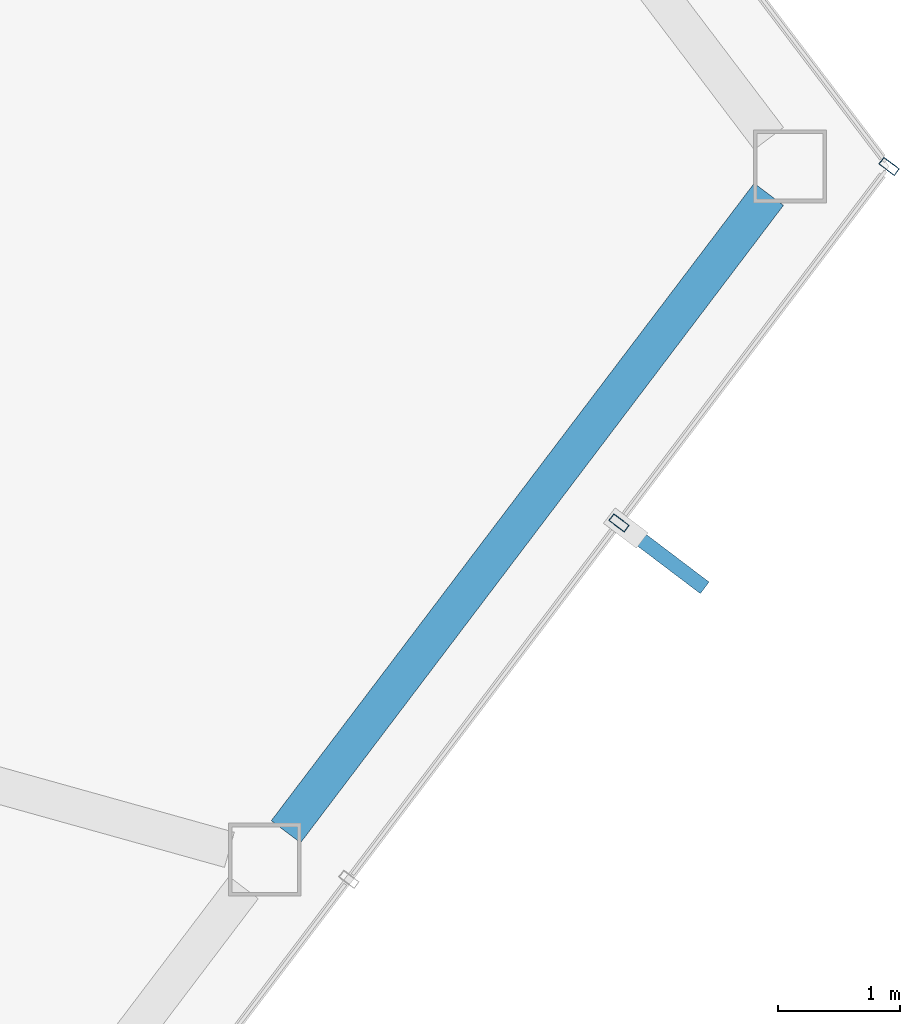
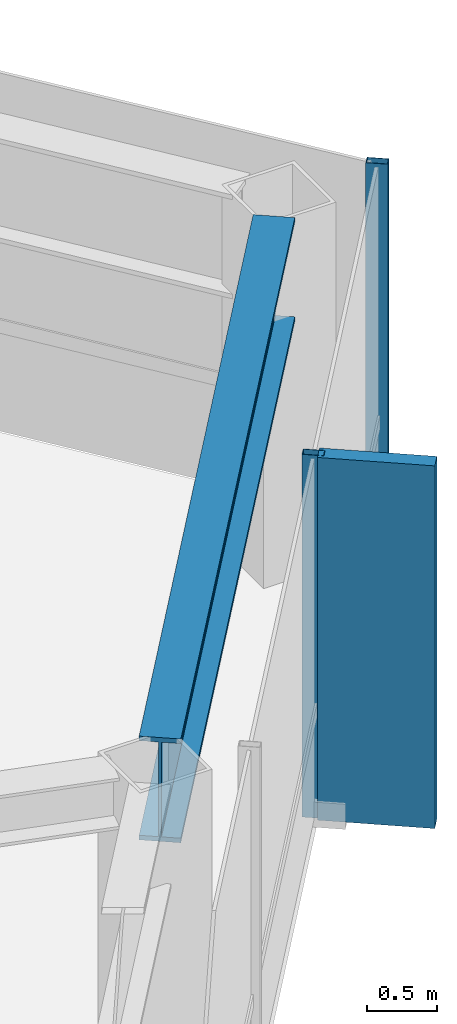
# One storey, part 18 of 25: 3 members, 1 beam, 1 element without a shape of its own.
"""IFC4 building model written with IfcOpenShell, lengths in metres."""

from ifc_helpers import new_model, si_unit, direction, frame, origin, origin_2d, place, context, subcontext, project, spatial, rectangle, hollow_rectangle, i_section, extrude, material, layer, layer_set, material_profile, profile_set, type_object, element, aggregate, save


model = new_model("IFC4")

# Units and contexts
model_context = context("Model", 3, precision=1e-05, world=origin(), true_north=direction((0.0, 1.0)))
body_context = subcontext(model_context, "Body", "Model", "MODEL_VIEW")
ifc_project = project(units=[si_unit("LENGTHUNIT", "METRE"), si_unit("AREAUNIT", "SQUARE_METRE"), si_unit("VOLUMEUNIT", "CUBIC_METRE"), si_unit("PLANEANGLEUNIT", "RADIAN"), si_unit("MASSUNIT", "GRAM", prefix="KILO")], contexts=[model_context])

# Site, building, storey
site_placement = place(None, origin())
site = spatial("IfcSite", under=ifc_project, at=site_placement, CompositionType="ELEMENT")
building_placement = place(site_placement, origin())
building = spatial("IfcBuilding", under=site, at=building_placement, Name="Zarrinselat Tower", CompositionType="ELEMENT")
storey_placement = place(building_placement, frame((0.0, 0.0, 242.760009765625)))
storey = spatial("IfcBuildingStorey", under=building, at=storey_placement, Name="L61", CompositionType="ELEMENT", Elevation=242.760009765625)

# Beam
ifc_material_1 = material(Name="Steel S460M", Category="steel")
ifc_material_profile_1 = material_profile(ifc_material_1, i_section(OverallWidth=0.302001953125, OverallDepth=0.909912109375, WebThickness=0.02099609375, FlangeThickness=0.0400390625, at=origin_2d()), Name="HEM 900")
ifc_profile_set_1 = profile_set([ifc_material_profile_1], Name="Steel S460M")
beam_type = type_object("IfcBeamType", Name="BM-HEM900", PredefinedType="BEAM", material=ifc_profile_set_1)
beam_placement = place(storey_placement, frame((56.673828125, 36.555908203125, 2.72509765625), z_axis=(0.603869116495, 0.797083490071, 0.0), x_axis=(-0.797083490071, 0.603869116495, 0.0)))
element("IfcBeam", 1, at=beam_placement, inside=storey, type_object=beam_type, Name="L61 Perimeter Spandrel Girder SP14", PredefinedType="BEAM", context=body_context, shape_type="SweptSolid", body=[
    extrude(i_section(OverallWidth=0.302001953125, OverallDepth=0.909912109375, WebThickness=0.02099609375, FlangeThickness=0.0400390625, at=origin_2d()), origin(), (0.0, 0.0, 1.0), 6.580810546875),
])

# Curtain wall, members
ifc_material_2 = material(Name="Extruded Aluminium Alloy EN AW-6063 T6", Category="aluminium")
ifc_layer = layer(ifc_material_2, 0.169921875)
ifc_layer_set = layer_set([ifc_layer], Name="Extruded Aluminium Alloy EN AW-6063 T6")
curtain_wall_type = type_object("IfcCurtainWallType", Name="CWS-RES", PredefinedType="NOTDEFINED", material=ifc_layer_set)
curtain_wall_placement = place(storey_placement, origin())
curtain_wall = element("IfcCurtainWall", 2, at=curtain_wall_placement, inside=storey, type_object=curtain_wall_type, Name="L61 Unitised Curtain Wall CW-L61-E05", PredefinedType="NOTDEFINED")
ifc_material_3 = material(Name="Extruded Aluminium Alloy EN AW-6063 T6", Category="aluminium")
ifc_material_profile_2 = material_profile(ifc_material_3, hollow_rectangle(XDim=0.070068359375, YDim=0.159912109375, WallThickness=0.00390625, at=origin_2d()), Name="RHS 160x70x4")
ifc_profile_set_2 = profile_set([ifc_material_profile_2], Name="Extruded Aluminium Alloy EN AW-6063 T6")
member_type_1 = type_object("IfcMemberType", Name="MEM-CW-MUL2", PredefinedType="MULLION", material=ifc_profile_set_2)
member_1_placement = place(storey_placement, frame((59.414794921875, 39.097412109375, 0.0), z_axis=(0.0, 0.0, 1.0), x_axis=(0.603858472709, 0.797091553674, 0.0)))
member_1 = element("IfcMember", 3, at=member_1_placement, type_object=member_type_1, Name="CW-L61-E05 Mullion 7", PredefinedType="MULLION", context=body_context, shape_type="SweptSolid", body=[
    extrude(hollow_rectangle(XDim=0.070068359375, YDim=0.159912109375, WallThickness=0.00390625, at=origin_2d()), origin(), (0.0, 0.0, 1.0), 3.179931640625),
])
member_2_placement = place(storey_placement, frame((61.63720703125, 42.03076171875, 0.0), z_axis=(0.0, 0.0, 1.0), x_axis=(0.603858472709, 0.797091553674, 0.0)))
member_2 = element("IfcMember", 4, at=member_2_placement, type_object=member_type_1, Name="CW-L61-E05 Mullion 8", PredefinedType="MULLION", context=body_context, shape_type="SweptSolid", body=[
    extrude(hollow_rectangle(XDim=0.070068359375, YDim=0.159912109375, WallThickness=0.00390625, at=origin_2d()), origin(), (0.0, 0.0, 1.0), 3.179931640625),
])
ifc_material_4 = material(Name="Honed Cream Travertine Stone", Category="masonry")
ifc_material_profile_3 = material_profile(ifc_material_4, rectangle(XDim=0.1201171875, YDim=0.85009765625, at=origin_2d()), Name="FIN 850x120")
ifc_profile_set_3 = profile_set([ifc_material_profile_3], Name="Honed Cream Travertine Stone")
member_type_2 = type_object("IfcMemberType", Name="MEM-STONE-FIN", PredefinedType="USERDEFINED", material=ifc_profile_set_3)
member_3_placement = place(storey_placement, frame((59.781494140625, 38.819580078125, 0.0), z_axis=(0.0, 0.0, 1.0), x_axis=(-0.603858472709, -0.797091553674, 0.0)))
member_3 = element("IfcMember", 5, at=member_3_placement, type_object=member_type_2, Name="L61 Stone Shading Fin CW-L61-E05-07", ObjectType="FIN", PredefinedType="USERDEFINED", context=body_context, shape_type="SweptSolid", body=[
    extrude(rectangle(XDim=0.1201171875, YDim=0.85009765625, at=origin_2d()), origin(), (0.0, 0.0, 1.0), 3.179931640625),
])
aggregate(curtain_wall, [member_1, member_3, member_2])

save(model, "model.ifc")
